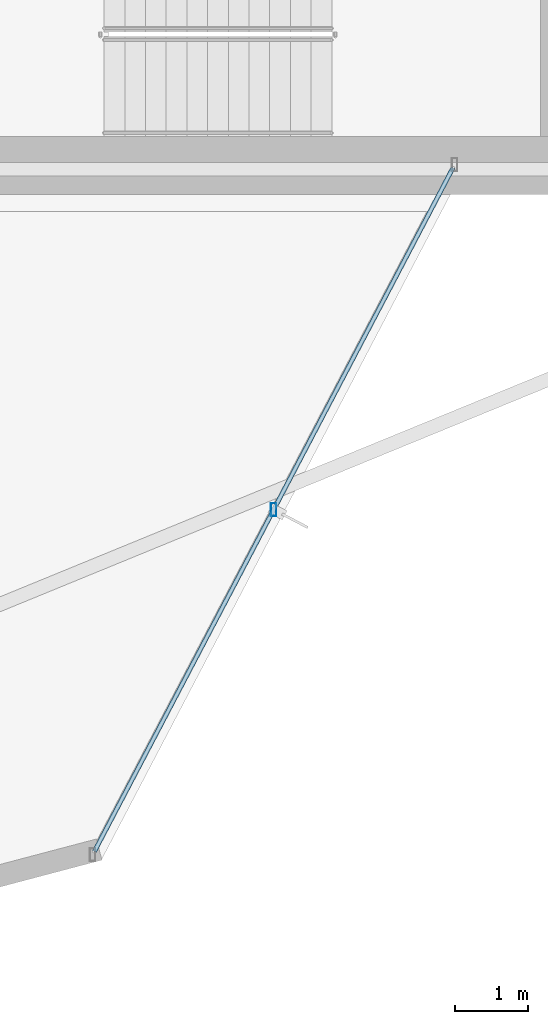
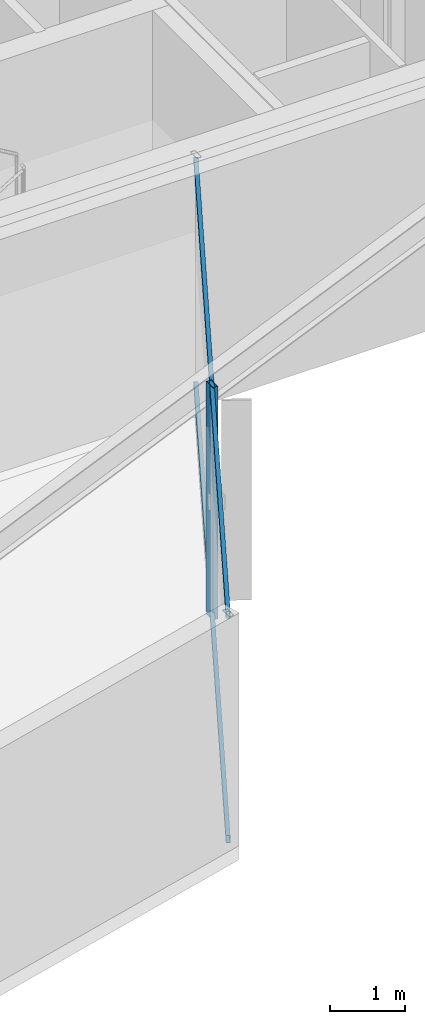
# One storey, part 12 of 25: 3 members, 1 element without a shape of its own.
"""IFC4 building model written with IfcOpenShell, lengths in metres."""

from ifc_helpers import new_model, si_unit, direction, frame, origin, origin_2d, place, context, subcontext, project, spatial, hollow_rectangle, extrude, material, layer, layer_set, material_profile, profile_set, type_object, element, aggregate, save


model = new_model("IFC4")

# Units and contexts
model_context = context("Model", 3, precision=1e-05, world=origin(), true_north=direction((0.0, 1.0)))
body_context = subcontext(model_context, "Body", "Model", "MODEL_VIEW")
ifc_project = project(units=[si_unit("LENGTHUNIT", "METRE"), si_unit("AREAUNIT", "SQUARE_METRE"), si_unit("VOLUMEUNIT", "CUBIC_METRE"), si_unit("PLANEANGLEUNIT", "RADIAN"), si_unit("MASSUNIT", "GRAM", prefix="KILO")], contexts=[model_context])

# Site, building, storey
site_placement = place(None, origin())
site = spatial("IfcSite", under=ifc_project, at=site_placement, CompositionType="ELEMENT")
building_placement = place(site_placement, origin())
building = spatial("IfcBuilding", under=site, at=building_placement, Name="Veymaron Broadcast Tower", CompositionType="ELEMENT")
storey_placement = place(building_placement, frame((0.0, 0.0, 145.199951171875)))
storey = spatial("IfcBuildingStorey", under=building, at=storey_placement, Name="L33", CompositionType="ELEMENT", Elevation=145.199951171875)

# Curtain wall, members
ifc_material_1 = material(Name="Anodised aluminium AA 6063-T6 and laminated low-E dark glass", Category="aluminium")
ifc_layer = layer(ifc_material_1, 0.179931640625)
ifc_layer_set = layer_set([ifc_layer], Name="Anodised aluminium AA 6063-T6 and laminated low-E dark glass")
curtain_wall_type = type_object("IfcCurtainWallType", Name="CW-SYS-03", PredefinedType="NOTDEFINED", material=ifc_layer_set)
curtain_wall_placement = place(storey_placement, origin())
curtain_wall = element("IfcCurtainWall", 1, at=curtain_wall_placement, inside=storey, type_object=curtain_wall_type, Name="L33 dark-glass curtain wall CW-L33-E20-1", PredefinedType="NOTDEFINED")
ifc_material_2 = material(Name="Anodised aluminium AA 6063-T6", Category="aluminium")
ifc_material_profile_1 = material_profile(ifc_material_2, hollow_rectangle(XDim=0.074951171875, YDim=0.179931640625, WallThickness=0.0048828125, at=origin_2d()), Name="AL180X75X5")
ifc_profile_set_1 = profile_set([ifc_material_profile_1], Name="Anodised aluminium AA 6063-T6")
member_type_1 = type_object("IfcMemberType", Name="CW-MUL-02", PredefinedType="MULLION", material=ifc_profile_set_1)
member_1_placement = place(storey_placement, frame((43.76513671875, 11.31494140625, 0.0), z_axis=(0.0, 0.0, 1.0), x_axis=(1.0, 0.0, 0.0)))
member_1 = element("IfcMember", 2, at=member_1_placement, type_object=member_type_1, Name="CW-L33-E20-1 mullion 1", PredefinedType="MULLION", context=body_context, shape_type="SweptSolid", body=[
    extrude(hollow_rectangle(XDim=0.074951171875, YDim=0.179931640625, WallThickness=0.0048828125, at=origin_2d()), origin(), (0.0, 0.0, 1.0), 3.81005859375),
])
ifc_material_profile_2 = material_profile(ifc_material_2, hollow_rectangle(XDim=0.06005859375, YDim=0.1201171875, WallThickness=0.00390625, at=origin_2d()), Name="AL120X60X4")
ifc_profile_set_2 = profile_set([ifc_material_profile_2], Name="Anodised aluminium AA 6063-T6")
member_type_2 = type_object("IfcMemberType", Name="CW-TRN-02", PredefinedType="USERDEFINED", material=ifc_profile_set_2)
member_2_placement = place(storey_placement, frame((41.297119140625, 6.609375, 0.070068359375), z_axis=(0.464469622178, 0.885589052594, 0.0), x_axis=(-0.885589052594, 0.464469622178, 0.0)))
member_2 = element("IfcMember", 3, at=member_2_placement, type_object=member_type_2, Name="CW-L33-E20-1 transom B", ObjectType="TRANSOM", PredefinedType="USERDEFINED", context=body_context, shape_type="SweptSolid", body=[
    extrude(hollow_rectangle(XDim=0.06005859375, YDim=0.1201171875, WallThickness=0.00390625, at=origin_2d()), origin(), (0.0, 0.0, 1.0), 10.627197265625),
])
member_3_placement = place(storey_placement, frame((41.297119140625, 6.609375, 3.739990234375), z_axis=(0.464469622178, 0.885589052594, 0.0), x_axis=(-0.885589052594, 0.464469622178, 0.0)))
member_3 = element("IfcMember", 4, at=member_3_placement, type_object=member_type_2, Name="CW-L33-E20-1 transom T", ObjectType="TRANSOM", PredefinedType="USERDEFINED", context=body_context, shape_type="SweptSolid", body=[
    extrude(hollow_rectangle(XDim=0.06005859375, YDim=0.1201171875, WallThickness=0.00390625, at=origin_2d()), origin(), (0.0, 0.0, 1.0), 10.627197265625),
])
aggregate(curtain_wall, [member_1, member_2, member_3])

save(model, "model.ifc")
